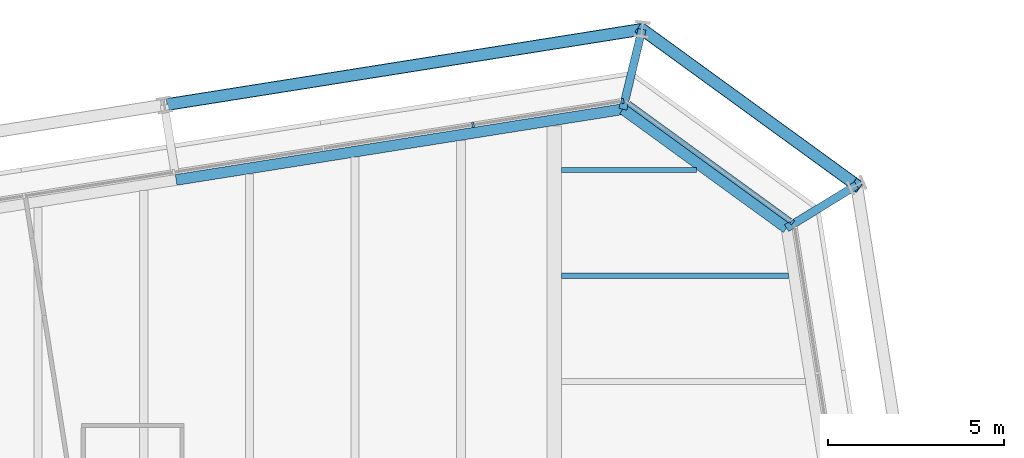
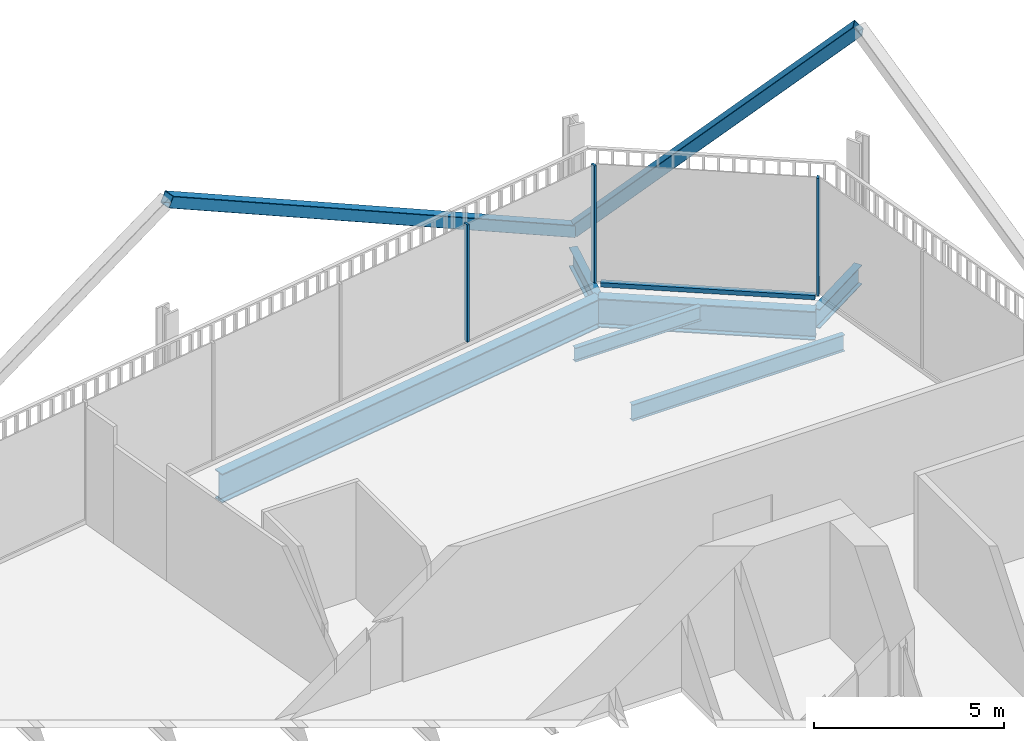
# One storey, part 16 of 22: 6 beams, 6 members, 2 elements without a shape of their own.
"""IFC4 building model written with IfcOpenShell, lengths in metres."""

from ifc_helpers import new_model, si_unit, direction, frame, origin, origin_2d, place, context, subcontext, project, spatial, rectangle, hollow_rectangle, i_section, extrude, material, layer, layer_set, material_profile, profile_set, type_object, element, aggregate, save


model = new_model("IFC4")

# Units and contexts
model_context = context("Model", 3, precision=1e-05, world=origin(), true_north=direction((0.0, 1.0)))
body_context = subcontext(model_context, "Body", "Model", "MODEL_VIEW")
ifc_project = project(units=[si_unit("LENGTHUNIT", "METRE"), si_unit("AREAUNIT", "SQUARE_METRE"), si_unit("VOLUMEUNIT", "CUBIC_METRE"), si_unit("PLANEANGLEUNIT", "RADIAN"), si_unit("MASSUNIT", "GRAM", prefix="KILO")], contexts=[model_context])

# Site, building, storey
site_placement = place(None, origin())
site = spatial("IfcSite", under=ifc_project, at=site_placement, CompositionType="ELEMENT")
building_placement = place(site_placement, origin())
building = spatial("IfcBuilding", under=site, at=building_placement, Name="Millrace Tower", CompositionType="ELEMENT")
storey_placement = place(building_placement, frame((0.0, 0.0, 137.300048828125)))
storey = spatial("IfcBuildingStorey", under=building, at=storey_placement, Name="L30", CompositionType="ELEMENT", Elevation=137.300048828125)

# Curtain wall, member
ifc_material_1 = material(Name="Aluminium and glass", Category="aluminium")
ifc_layer = layer(ifc_material_1, 0.14990234375)
ifc_layer_set = layer_set([ifc_layer], Name="Aluminium and glass")
curtain_wall_type = type_object("IfcCurtainWallType", Name="CW-1 office vision curtain wall", PredefinedType="NOTDEFINED", material=ifc_layer_set)
placement = place(storey_placement, origin())
curtain_wall_1 = element("IfcCurtainWall", 1, at=placement, inside=storey, type_object=curtain_wall_type, Name="Curtain wall C-F05 L30", PredefinedType="NOTDEFINED")
ifc_material_2 = material(Name="Aluminium", Category="aluminium")
ifc_material_profile_1 = material_profile(ifc_material_2, rectangle(XDim=0.06494140625, YDim=0.14990234375, at=origin_2d()))
ifc_profile_set_1 = profile_set([ifc_material_profile_1], Name="Aluminium")
member_type_1 = type_object("IfcMemberType", Name="CW-1 office vision curtain wall mullion", PredefinedType="MULLION", material=ifc_profile_set_1)
member_1_placement = place(storey_placement, frame((21.4013671875, 22.517822265625, 0.139892578125), z_axis=(0.0, 0.0, 1.0), x_axis=(-0.809016981623, 0.587785269844, 0.0)))
member_1 = element("IfcMember", 2, at=member_1_placement, type_object=member_type_1, Name="CW1 mullion C-F05.1", PredefinedType="MULLION", context=body_context, shape_type="SweptSolid", body=[
    extrude(rectangle(XDim=0.06494140625, YDim=0.14990234375, at=origin_2d()), origin(), (0.0, 0.0, 1.0), 3.760009765625),
])

# Curtain wall, members
curtain_wall_2 = element("IfcCurtainWall", 3, at=placement, inside=storey, type_object=curtain_wall_type, Name="Curtain wall C-F06 L30", PredefinedType="NOTDEFINED")
member_2_placement = place(storey_placement, frame((16.591796875, 25.956787109375, 0.139892578125), z_axis=(0.0, 0.0, 1.0), x_axis=(-0.98768833929, -0.15643447328, 0.0)))
member_2 = element("IfcMember", 4, at=member_2_placement, type_object=member_type_1, Name="CW1 mullion C-F06.1", PredefinedType="MULLION", context=body_context, shape_type="SweptSolid", body=[
    extrude(rectangle(XDim=0.06494140625, YDim=0.14990234375, at=origin_2d()), origin(), (0.0, 0.0, 1.0), 3.760009765625),
])
member_3_placement = place(storey_placement, frame((12.3447265625, 25.283935546875, 0.139892578125), z_axis=(0.0, 0.0, 1.0), x_axis=(-0.98768833929, -0.15643447328, 0.0)))
member_3 = element("IfcMember", 5, at=member_3_placement, type_object=member_type_1, Name="CW1 mullion C-F06.2", PredefinedType="MULLION", context=body_context, shape_type="SweptSolid", body=[
    extrude(rectangle(XDim=0.06494140625, YDim=0.14990234375, at=origin_2d()), origin(), (0.0, 0.0, 1.0), 3.760009765625),
])
aggregate(curtain_wall_2, [member_2, member_3])

# Member
ifc_material_3 = material(Name="Aluminium", Category="aluminium")
ifc_material_profile_2 = material_profile(ifc_material_3, rectangle(XDim=0.14990234375, YDim=0.139892578125, at=origin_2d()))
ifc_profile_set_2 = profile_set([ifc_material_profile_2], Name="Aluminium")
member_type_2 = type_object("IfcMemberType", Name="CW-1 office vision curtain wall transom", PredefinedType="USERDEFINED", material=ifc_profile_set_2)
member_4_placement = place(storey_placement, frame((21.346923828125, 22.557373046875, 0.070068359375), z_axis=(-0.809013470651, 0.587790102252, 0.0), x_axis=(-0.587790102252, -0.809013470651, 0.0)))
member_4 = element("IfcMember", 6, at=member_4_placement, type_object=member_type_2, Name="CW1 transom C-F05.1", ObjectType="TRANSOM", PredefinedType="USERDEFINED", context=body_context, shape_type="SweptSolid", body=[
    extrude(rectangle(XDim=0.14990234375, YDim=0.139892578125, at=origin_2d()), origin(), (0.0, 0.0, 1.0), 5.669189453125),
])

aggregate(curtain_wall_1, [member_1, member_4])

# Members
ifc_material_4 = material(Name="Steel ASTM A500 Grade C", Category="steel")
ifc_material_profile_3 = material_profile(ifc_material_4, hollow_rectangle(XDim=0.355712890625, YDim=0.355712890625, WallThickness=0.015869140625, InnerFilletRadius=0.008056640625, OuterFilletRadius=0.02392578125, at=origin_2d()))
ifc_profile_set_3 = profile_set([ifc_material_profile_3], Name="Steel ASTM A500 Grade C")
member_type_3 = type_object("IfcMemberType", Name="Exoskeleton brace HSS14x14x5/8", PredefinedType="BRACE", material=ifc_profile_set_3)
member_5_placement = place(storey_placement, frame((17.140869140625, 27.99267578125, 0.39990234375), z_axis=(0.592387752691, -0.430389097037, 0.681059450866), x_axis=(0.587780069364, 0.809020759968, 0.0)))
element("IfcMember", 7, at=member_5_placement, inside=storey, type_object=member_type_3, Name="BRC-C-L30-09", PredefinedType="BRACE", context=body_context, shape_type="SweptSolid", body=[
    extrude(hollow_rectangle(XDim=0.355712890625, YDim=0.355712890625, WallThickness=0.015869140625, InnerFilletRadius=0.008056640625, OuterFilletRadius=0.02392578125, at=origin_2d()), origin(), (0.0, 0.0, 1.0), 10.278076171875),
])
member_6_placement = place(storey_placement, frame((17.140869140625, 27.99267578125, 0.39990234375), z_axis=(-0.879904612171, -0.139370908249, 0.454250617407), x_axis=(0.156442906258, -0.987687003601, 0.0)))
element("IfcMember", 8, at=member_6_placement, inside=storey, type_object=member_type_3, Name="BRC-C-L30-10", PredefinedType="BRACE", context=body_context, shape_type="SweptSolid", body=[
    extrude(hollow_rectangle(XDim=0.355712890625, YDim=0.355712890625, WallThickness=0.015869140625, InnerFilletRadius=0.008056640625, OuterFilletRadius=0.02392578125, at=origin_2d()), origin(), (0.0, 0.0, 1.0), 15.409912109375),
])

# Beams
ifc_material_5 = material(Name="Steel ASTM A992 Grade 50", Category="steel")
ifc_material_profile_4 = material_profile(ifc_material_5, i_section(OverallWidth=0.15234375, OverallDepth=0.449462890625, WebThickness=0.007568359375, FlangeThickness=0.0107421875, FilletRadius=0.01025390625, at=origin_2d()))
ifc_profile_set_4 = profile_set([ifc_material_profile_4], Name="Steel ASTM A992 Grade 50")
beam_type_1 = type_object("IfcBeamType", Name="Floor beam W18x35", PredefinedType="JOIST", material=ifc_profile_set_4)
beam_1_placement = place(storey_placement, frame((14.859619140625, 24.0, -0.384765625), z_axis=(1.0, 0.0, 0.0), x_axis=(0.0, 1.0, 0.0)))
element("IfcBeam", 9, at=beam_1_placement, inside=storey, type_object=beam_type_1, Name="BM-C-L30-S1-S038", PredefinedType="JOIST", context=body_context, shape_type="SweptSolid", body=[
    extrude(i_section(OverallWidth=0.15234375, OverallDepth=0.449462890625, WebThickness=0.007568359375, FlangeThickness=0.0107421875, FilletRadius=0.01025390625, at=origin_2d()), origin(), (0.0, 0.0, 1.0), 3.8232421875),
])
ifc_material_6 = material(Name="Steel ASTM A992 Grade 50", Category="steel")
ifc_material_profile_5 = material_profile(ifc_material_6, i_section(OverallWidth=0.1650390625, OverallDepth=0.52587890625, WebThickness=0.0087890625, FlangeThickness=0.011474609375, FilletRadius=0.0126953125, at=origin_2d()))
ifc_profile_set_5 = profile_set([ifc_material_profile_5], Name="Steel ASTM A992 Grade 50")
beam_type_2 = type_object("IfcBeamType", Name="Floor beam W21x44", PredefinedType="JOIST", material=ifc_profile_set_5)
beam_2_placement = place(storey_placement, frame((14.859619140625, 21.0, -0.4228515625), z_axis=(1.0, 0.0, 0.0), x_axis=(0.0, 1.0, 0.0)))
element("IfcBeam", 10, at=beam_2_placement, inside=storey, type_object=beam_type_2, Name="BM-C-L30-S1-S037", PredefinedType="JOIST", context=body_context, shape_type="SweptSolid", body=[
    extrude(i_section(OverallWidth=0.1650390625, OverallDepth=0.52587890625, WebThickness=0.0087890625, FlangeThickness=0.011474609375, FilletRadius=0.0126953125, at=origin_2d()), origin(), (0.0, 0.0, 1.0), 6.440673828125),
])
ifc_material_7 = material(Name="Steel ASTM A992 Grade 50", Category="steel")
ifc_material_profile_6 = material_profile(ifc_material_7, i_section(OverallWidth=0.23046875, OverallDepth=0.6171875, WebThickness=0.01318359375, FlangeThickness=0.022216796875, FilletRadius=0.012939453125, at=origin_2d()))
ifc_profile_set_6 = profile_set([ifc_material_profile_6], Name="Steel ASTM A992 Grade 50")
beam_type_3 = type_object("IfcBeamType", Name="Link beam W24x94", PredefinedType="BEAM", material=ifc_profile_set_6)
beam_3_placement = place(storey_placement, frame((16.5966796875, 25.725830078125, -0.46875), z_axis=(0.233432364948, 0.972373041068, 0.0), x_axis=(-0.972373041068, 0.233432364948, 0.0)))
element("IfcBeam", 11, at=beam_3_placement, inside=storey, type_object=beam_type_3, Name="LNK-C-L30-S1-08", PredefinedType="BEAM", context=body_context, shape_type="SweptSolid", body=[
    extrude(i_section(OverallWidth=0.23046875, OverallDepth=0.6171875, WebThickness=0.01318359375, FlangeThickness=0.022216796875, FilletRadius=0.012939453125, at=origin_2d()), origin(), (0.0, 0.0, 1.0), 2.331298828125),
])
beam_4_placement = place(storey_placement, frame((21.241943359375, 22.35107421875, -0.46875), z_axis=(0.852631355792, 0.522512938711, 0.0), x_axis=(-0.522512938711, 0.852631355792, 0.0)))
element("IfcBeam", 12, at=beam_4_placement, inside=storey, type_object=beam_type_3, Name="LNK-C-L30-S1-09", PredefinedType="BEAM", context=body_context, shape_type="SweptSolid", body=[
    extrude(i_section(OverallWidth=0.23046875, OverallDepth=0.6171875, WebThickness=0.01318359375, FlangeThickness=0.022216796875, FilletRadius=0.012939453125, at=origin_2d()), origin(), (0.0, 0.0, 1.0), 2.3310546875),
])
ifc_material_8 = material(Name="Steel ASTM A992 Grade 50", Category="steel")
ifc_material_profile_7 = material_profile(ifc_material_8, i_section(OverallWidth=0.307373046875, OverallDepth=0.927001953125, WebThickness=0.01953125, FlangeThickness=0.031982421875, FilletRadius=0.01904296875, at=origin_2d()))
ifc_profile_set_7 = profile_set([ifc_material_profile_7], Name="Steel ASTM A992 Grade 50")
beam_type_4 = type_object("IfcBeamType", Name="Ring beam medium span W36x194", PredefinedType="SPANDREL", material=ifc_profile_set_7)
beam_5_placement = place(storey_placement, frame((3.91845703125, 23.718017578125, -0.62353515625), z_axis=(0.987690996996, 0.156417692264, 0.0), x_axis=(-0.156417692264, 0.987690996996, 0.0)))
element("IfcBeam", 13, at=beam_5_placement, inside=storey, type_object=beam_type_4, Name="RNG-C-L30-S1-07", PredefinedType="SPANDREL", context=body_context, shape_type="SweptSolid", body=[
    extrude(i_section(OverallWidth=0.307373046875, OverallDepth=0.927001953125, WebThickness=0.01953125, FlangeThickness=0.031982421875, FilletRadius=0.01904296875, at=origin_2d()), origin(), (0.0, 0.0, 1.0), 12.836181640625),
])
ifc_material_9 = material(Name="Steel ASTM A992 Grade 50", Category="steel")
ifc_material_profile_8 = material_profile(ifc_material_9, i_section(OverallWidth=0.307373046875, OverallDepth=0.927001953125, WebThickness=0.01953125, FlangeThickness=0.031982421875, FilletRadius=0.01904296875, at=origin_2d()))
ifc_profile_set_8 = profile_set([ifc_material_profile_8], Name="Steel ASTM A992 Grade 50")
beam_type_5 = type_object("IfcBeamType", Name="Ring beam short span W36x194", PredefinedType="SPANDREL", material=ifc_profile_set_8)
beam_6_placement = place(storey_placement, frame((16.5966796875, 25.725830078125, -0.62353515625), z_axis=(0.809035690681, -0.587759518174, 0.0), x_axis=(0.587759518174, 0.809035690681, 0.0)))
element("IfcBeam", 14, at=beam_6_placement, inside=storey, type_object=beam_type_5, Name="RNG-C-L30-S1-08", PredefinedType="SPANDREL", context=body_context, shape_type="SweptSolid", body=[
    extrude(i_section(OverallWidth=0.307373046875, OverallDepth=0.927001953125, WebThickness=0.01953125, FlangeThickness=0.031982421875, FilletRadius=0.01904296875, at=origin_2d()), origin(), (0.0, 0.0, 1.0), 5.74169921875),
])

save(model, "model.ifc")
